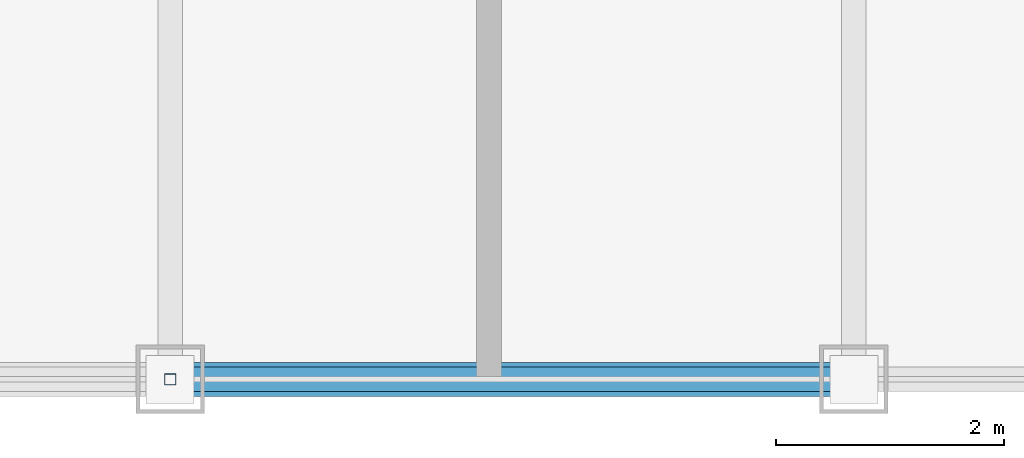
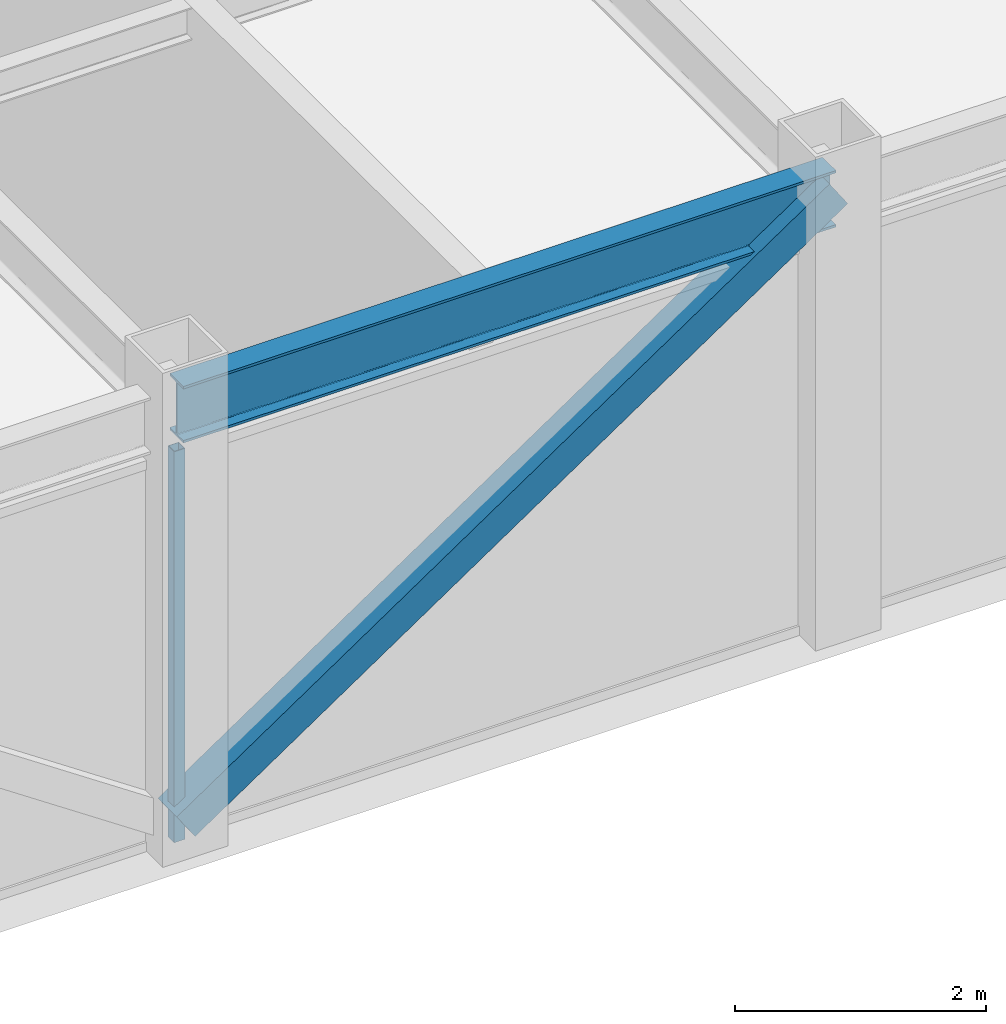
# One storey, part 4 of 27: 2 members, 1 beam, 1 element without a shape of its own.
"""IFC4 building model written with IfcOpenShell, lengths in metres."""

from ifc_helpers import new_model, si_unit, direction, frame, origin, origin_2d, place, context, subcontext, project, spatial, hollow_rectangle, i_section, extrude, source, transform, mapped, material, material_profile, profile_set, type_object, element, aggregate, save


model = new_model("IFC4")

# Units and contexts
model_context = context("Model", 3, precision=1e-05, world=origin(), true_north=direction((0.0, 1.0)))
body_context = subcontext(model_context, "Body", "Model", "MODEL_VIEW")
ifc_project = project(units=[si_unit("LENGTHUNIT", "METRE"), si_unit("AREAUNIT", "SQUARE_METRE"), si_unit("VOLUMEUNIT", "CUBIC_METRE"), si_unit("PLANEANGLEUNIT", "RADIAN"), si_unit("MASSUNIT", "GRAM", prefix="KILO")], contexts=[model_context])

# Site, building, storey
site_placement = place(None, origin())
site = spatial("IfcSite", under=ifc_project, at=site_placement, CompositionType="ELEMENT")
building_placement = place(site_placement, origin())
building = spatial("IfcBuilding", under=site, at=building_placement, Name="Khorayat Bourse Tower", CompositionType="ELEMENT")
storey_placement = place(building_placement, frame((0.0, 0.0, 394.699951171875)))
storey = spatial("IfcBuildingStorey", under=building, at=storey_placement, Name="L93", CompositionType="ELEMENT", Elevation=394.699951171875)

# Beam
ifc_material_1 = material(Name="Steel ASTM A992 Grade 50", Category="steel")
ifc_material_profile_1 = material_profile(ifc_material_1, i_section(OverallWidth=0.214111328125, OverallDepth=0.549072265625, WebThickness=0.0146484375, FlangeThickness=0.023681640625, FilletRadius=0.013916015625, at=origin_2d()), Name="W530X138")
ifc_profile_set_1 = profile_set([ifc_material_profile_1], Name="Steel ASTM A992 Grade 50")
beam_type = type_object("IfcBeamType", Name="BM-SPAN-530", PredefinedType="SPANDREL", material=ifc_profile_set_1)
shared_shape_1 = source(origin(), body_context, "Body", "SweptSolid", [
    extrude(i_section(OverallWidth=0.214111328125, OverallDepth=0.549072265625, WebThickness=0.0146484375, FlangeThickness=0.023681640625, FilletRadius=0.013916015625, at=origin_2d()), origin(), (0.0, 0.0, 1.0), 6.0),
])
beam_placement = place(storey_placement, frame((0.0, -24.0, 4.175537109375), z_axis=(1.0, 0.0, 0.0), x_axis=(0.0, 1.0, 0.0)))
element("IfcBeam", 1, at=beam_placement, inside=storey, type_object=beam_type, Name="L93 BM-SPAN-530 BM-L93-SPN-027", PredefinedType="SPANDREL", context=body_context, shape_type="MappedRepresentation", body=[
    mapped(shared_shape_1, transform((0.0, 0.0, 0.0), scale=1.0)),
])

# Member
ifc_material_2 = material(Name="Steel EN 10025-2 S355J2", Category="steel")
ifc_material_profile_2 = material_profile(ifc_material_2, hollow_rectangle(XDim=0.300048828125, YDim=0.300048828125, WallThickness=0.01611328125, at=origin_2d()), Name="HSS 300x300x16")
ifc_profile_set_2 = profile_set([ifc_material_profile_2], Name="Steel EN 10025-2 S355J2")
member_type_1 = type_object("IfcMemberType", Name="MBR-CROWN-300", PredefinedType="USERDEFINED", material=ifc_profile_set_2)
shared_shape_2 = source(origin(), body_context, "Body", "SweptSolid", [
    extrude(hollow_rectangle(XDim=0.300048828125, YDim=0.300048828125, WallThickness=0.01611328125, at=origin_2d()), origin(), (0.0, 0.0, 1.0), 7.239013671875),
])
member_1_placement = place(storey_placement, frame((0.0, -24.0, 0.199951171875), z_axis=(0.828845546207, 0.0, 0.559477488852), x_axis=(0.0, 1.0, 0.0)))
element("IfcMember", 2, at=member_1_placement, inside=storey, type_object=member_type_1, Name="L93 Lantern Crown Frame Member 03", ObjectType="CROWN FRAME", PredefinedType="USERDEFINED", context=body_context, shape_type="MappedRepresentation", body=[
    mapped(shared_shape_2, transform((0.0, 0.0, 0.0), scale=1.0)),
])

# Curtain wall, member
ifc_material_3 = material(Name="Aluminium EN AW-6063 T6", Category="aluminium")
curtain_wall_type = type_object("IfcCurtainWallType", Name="CW-SYS-07", PredefinedType="NOTDEFINED", material=ifc_material_3)
curtain_wall_placement = place(storey_placement, origin())
curtain_wall = element("IfcCurtainWall", 3, at=curtain_wall_placement, inside=storey, type_object=curtain_wall_type, Name="L93 Curtain Wall CW-L93-S1", PredefinedType="NOTDEFINED")
ifc_material_profile_3 = material_profile(ifc_material_3, hollow_rectangle(XDim=0.10009765625, YDim=0.10009765625, WallThickness=0.0048828125, at=origin_2d()), Name="ALU 100x100x5")
ifc_profile_set_3 = profile_set([ifc_material_profile_3], Name="Aluminium EN AW-6063 T6")
member_type_2 = type_object("IfcMemberType", Name="CWM-LANTERN-100", PredefinedType="MULLION", material=ifc_profile_set_3)
shared_shape_3 = source(origin(), body_context, "Body", "SweptSolid", [
    extrude(hollow_rectangle(XDim=0.10009765625, YDim=0.10009765625, WallThickness=0.0048828125, at=origin_2d()), origin(), (0.0, 0.0, 1.0), 3.800048828125),
])
member_2_placement = place(storey_placement, frame((0.0, -24.0, 0.0), z_axis=(0.0, 0.0, 1.0), x_axis=(0.0, 1.0, 0.0)))
member_2 = element("IfcMember", 4, at=member_2_placement, type_object=member_type_2, Name="CW-L93-S1 Vertical Mullion 2", PredefinedType="MULLION", context=body_context, shape_type="MappedRepresentation", body=[
    mapped(shared_shape_3, transform((0.0, 0.0, 0.0), scale=1.0)),
])
aggregate(curtain_wall, [member_2])

save(model, "model.ifc")
